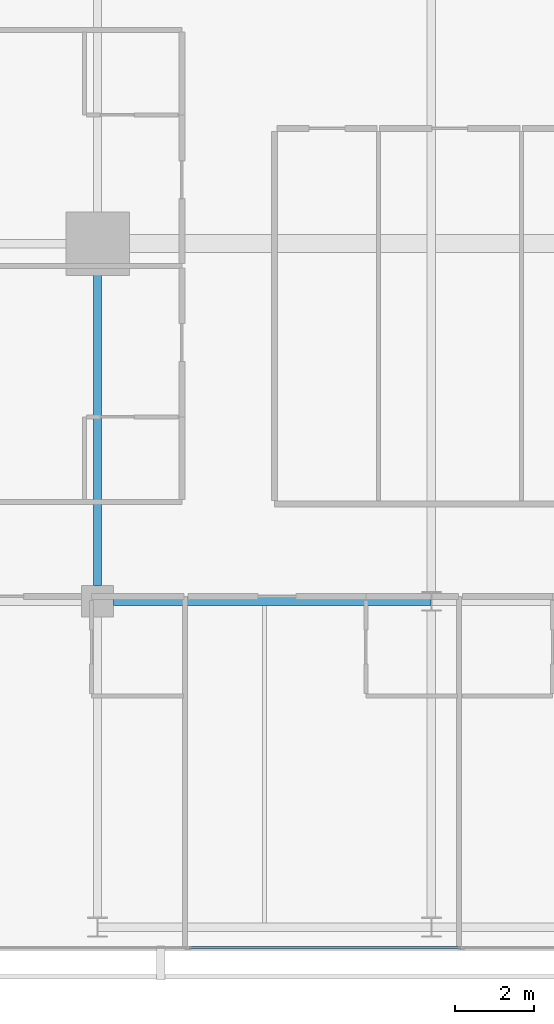
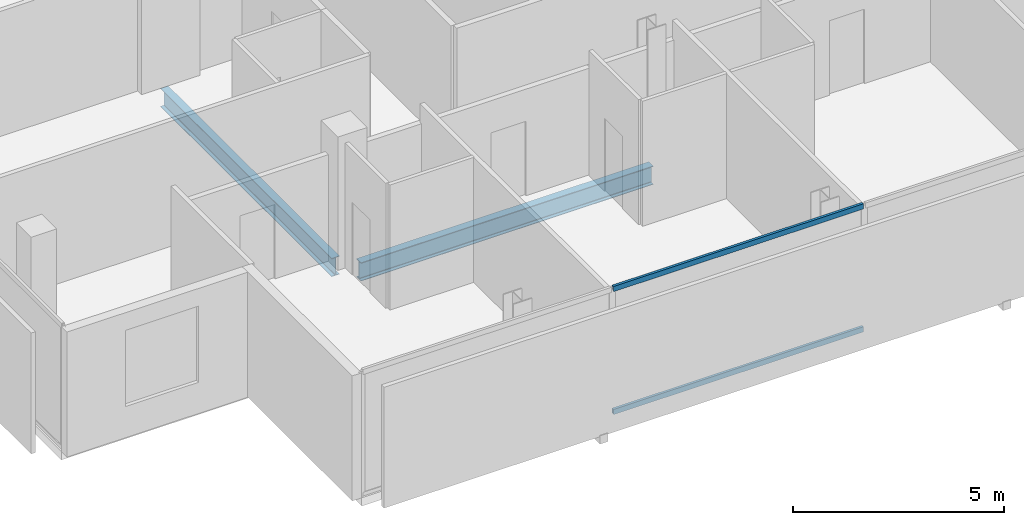
# One storey, part 5 of 26: 2 beams, 2 members, 1 element without a shape of its own.
"""IFC4 building model written with IfcOpenShell, lengths in metres."""

from ifc_helpers import new_model, si_unit, direction, frame, origin, origin_2d, place, context, subcontext, project, spatial, hollow_rectangle, i_section, extrude, material, layer, layer_set, material_profile, profile_set, type_object, element, aggregate, save


model = new_model("IFC4")

# Units and contexts
model_context = context("Model", 3, precision=1e-05, world=origin(), true_north=direction((0.0, 1.0)))
body_context = subcontext(model_context, "Body", "Model", "MODEL_VIEW")
ifc_project = project(units=[si_unit("LENGTHUNIT", "METRE"), si_unit("AREAUNIT", "SQUARE_METRE"), si_unit("VOLUMEUNIT", "CUBIC_METRE"), si_unit("PLANEANGLEUNIT", "RADIAN"), si_unit("MASSUNIT", "GRAM", prefix="KILO")], contexts=[model_context])

# Site, building, storey
site_placement = place(None, origin())
site = spatial("IfcSite", under=ifc_project, at=site_placement, CompositionType="ELEMENT")
building_placement = place(site_placement, origin())
building = spatial("IfcBuilding", under=site, at=building_placement, Name="Maruvema Waterfront Hotel and Observation Tower", CompositionType="ELEMENT")
storey_placement = place(building_placement, frame((0.0, 0.0, 266.35009765625)))
storey = spatial("IfcBuildingStorey", under=building, at=storey_placement, Name="L65", CompositionType="ELEMENT", Elevation=266.35009765625)

# Curtain wall, members
ifc_material_1 = material(Name="Anodised bronze aluminium and solar-control low-E IGU", Category="aluminium")
ifc_layer = layer(ifc_material_1, 0.159912109375, Name="Zone 3 Champagne Inner Thermal Curtain Wall System CW-04")
ifc_layer_set = layer_set([ifc_layer], Name="Anodised bronze aluminium and solar-control low-E IGU")
curtain_wall_type = type_object("IfcCurtainWallType", Name="Zone 3 Champagne Inner Thermal Curtain Wall System CW-04", PredefinedType="USERDEFINED", material=ifc_layer_set)
curtain_wall_placement = place(storey_placement, origin())
curtain_wall = element("IfcCurtainWall", 1, at=curtain_wall_placement, inside=storey, type_object=curtain_wall_type, Name="L65 Curtain Wall CW-L65-S", ObjectType="UNITISED CURTAIN WALL", PredefinedType="USERDEFINED")
ifc_material_2 = material(Name="Anodised architectural bronze aluminium", Category="aluminium")
ifc_material_profile_1 = material_profile(ifc_material_2, hollow_rectangle(XDim=0.070068359375, YDim=0.14990234375, WallThickness=0.00390625, at=origin_2d()), Name="ALU-T70x150")
ifc_profile_set_1 = profile_set([ifc_material_profile_1], Name="Anodised architectural bronze aluminium")
member_type = type_object("IfcMemberType", Name="Curtain Wall Horizontal Transom ALU-T70x150", PredefinedType="USERDEFINED", material=ifc_profile_set_1)
member_1_placement = place(storey_placement, frame((27.510009765625, 9.280029296875, 0.02978515625), z_axis=(1.0, 0.0, 0.0), x_axis=(0.0, 1.0, 0.0)))
member_1 = element("IfcMember", 2, at=member_1_placement, type_object=member_type, Name="CW-04 transom 2.1", ObjectType="TRANSOM", PredefinedType="USERDEFINED", context=body_context, shape_type="SweptSolid", body=[
    extrude(hollow_rectangle(XDim=0.070068359375, YDim=0.14990234375, WallThickness=0.00390625, at=origin_2d()), origin(), (0.0, 0.0, 1.0), 6.820068359375),
])
member_2_placement = place(storey_placement, frame((27.510009765625, 9.280029296875, 3.579833984375), z_axis=(1.0, 0.0, 0.0), x_axis=(0.0, 1.0, 0.0)))
member_2 = element("IfcMember", 3, at=member_2_placement, type_object=member_type, Name="CW-04 transom 2.2", ObjectType="TRANSOM", PredefinedType="USERDEFINED", context=body_context, shape_type="SweptSolid", body=[
    extrude(hollow_rectangle(XDim=0.070068359375, YDim=0.14990234375, WallThickness=0.00390625, at=origin_2d()), origin(), (0.0, 0.0, 1.0), 6.820068359375),
])
aggregate(curtain_wall, [member_1, member_2])

# Beams
ifc_material_3 = material(Name="Steel ASTM A572 Grade 50", Category="steel")
ifc_material_profile_2 = material_profile(ifc_material_3, i_section(OverallWidth=0.208984375, OverallDepth=0.532958984375, WebThickness=0.01025390625, FlangeThickness=0.015625, FilletRadius=0.014892578125, at=origin_2d()), Name="W530x92.0")
ifc_profile_set_2 = profile_set([ifc_material_profile_2], Name="Steel ASTM A572 Grade 50")
beam_type = type_object("IfcBeamType", Name="Primary Floor Girder W530x92.0", PredefinedType="BEAM", material=ifc_profile_set_2)
beam_1_placement = place(storey_placement, frame((25.60009765625, 18.0, -0.506591796875), z_axis=(1.0, 0.0, 0.0), x_axis=(0.0, 1.0, 0.0)))
element("IfcBeam", 4, at=beam_1_placement, inside=storey, type_object=beam_type, Name="L65 Floor Girder EW-05", PredefinedType="BEAM", context=body_context, shape_type="SweptSolid", body=[
    extrude(i_section(OverallWidth=0.208984375, OverallDepth=0.532958984375, WebThickness=0.01025390625, FlangeThickness=0.015625, FilletRadius=0.014892578125, at=origin_2d()), origin(), (0.0, 0.0, 1.0), 7.989013671875),
])
beam_2_placement = place(storey_placement, frame((25.199951171875, 18.39990234375, -0.506591796875), z_axis=(0.0, 1.0, 0.0), x_axis=(-1.0, 0.0, 0.0)))
element("IfcBeam", 5, at=beam_2_placement, inside=storey, type_object=beam_type, Name="L65 Floor Girder NS-05", PredefinedType="BEAM", context=body_context, shape_type="SweptSolid", body=[
    extrude(i_section(OverallWidth=0.208984375, OverallDepth=0.532958984375, WebThickness=0.01025390625, FlangeThickness=0.015625, FilletRadius=0.014892578125, at=origin_2d()), origin(), (0.0, 0.0, 1.0), 8.10009765625),
])

save(model, "model.ifc")
